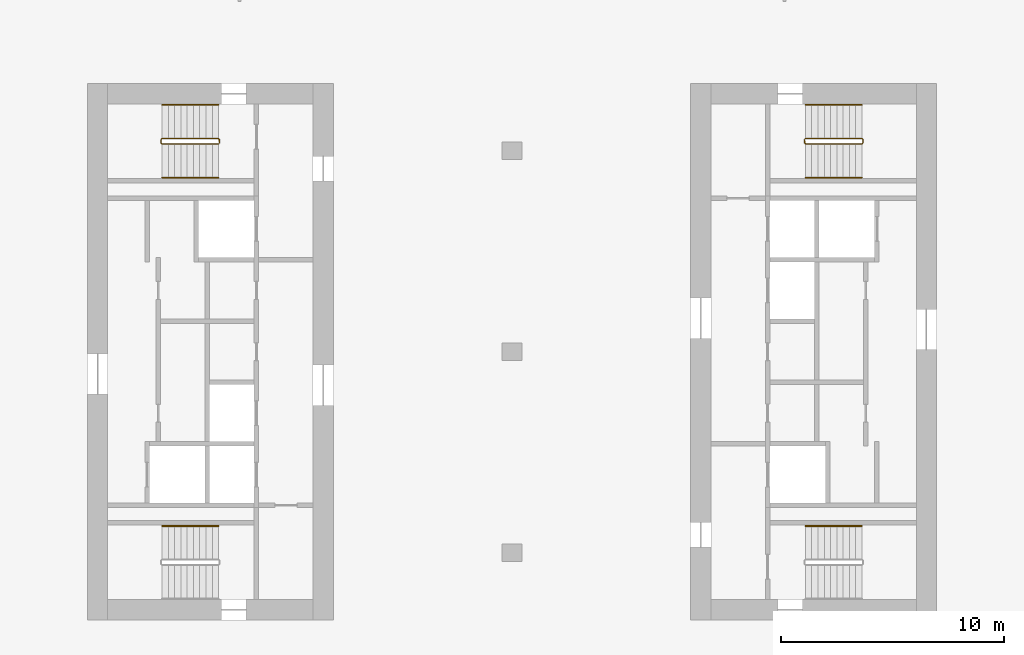
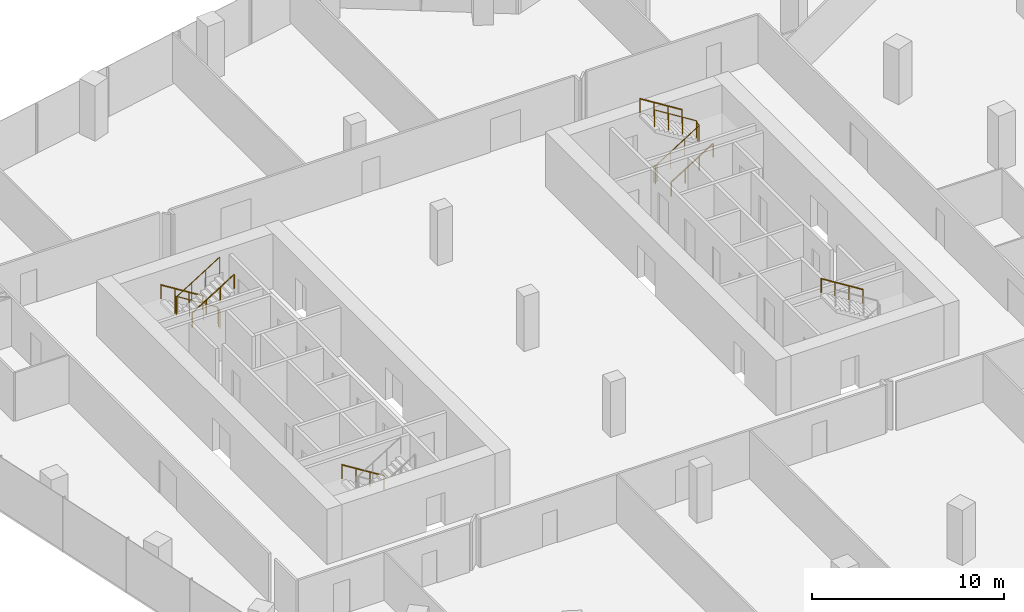
# One storey, part 24 of 24: 8 railings.
"""IFC4 building model written with IfcOpenShell, lengths in metres."""

from ifc_helpers import new_model, si_unit, direction, frame, origin, origin_2d, place, context, subcontext, project, spatial, circle, extrude, material, type_object, element, save


model = new_model("IFC4")

# Units and contexts
model_context = context("Model", 3, precision=1e-05, world=origin(), true_north=direction((0.0, 1.0)))
body_context = subcontext(model_context, "Body", "Model", "MODEL_VIEW")
ifc_project = project(units=[si_unit("LENGTHUNIT", "METRE"), si_unit("AREAUNIT", "SQUARE_METRE"), si_unit("VOLUMEUNIT", "CUBIC_METRE"), si_unit("PLANEANGLEUNIT", "RADIAN"), si_unit("MASSUNIT", "GRAM", prefix="KILO")], contexts=[model_context])

# Site, building, storey
site_placement = place(None, origin())
site = spatial("IfcSite", under=ifc_project, at=site_placement, CompositionType="ELEMENT")
building_placement = place(site_placement, origin())
building = spatial("IfcBuilding", under=site, at=building_placement, Name="Orlundy Tower", CompositionType="ELEMENT")
storey_placement = place(building_placement, frame((0.0, 0.0, 242.5)))
storey = spatial("IfcBuildingStorey", under=building, at=storey_placement, Name="L64", CompositionType="ELEMENT", Elevation=242.5)

# Railings
ifc_material_1 = material(Name="Steel balustrade", Category="steel")
railing_type_1 = type_object("IfcRailingType", Name="Stair Guard 1100", PredefinedType="GUARDRAIL", material=ifc_material_1)
railing_1_placement = place(storey_placement, frame((-13.090087890625, 9.5, 0.0)))
element("IfcRailing", 1, at=railing_1_placement, inside=storey, type_object=railing_type_1, Name="L64 ST-W1 stair guard 1", PredefinedType="GUARDRAIL", context=body_context, shape_type="SweptSolid", body=[
    extrude(circle(Radius=0.02392578125, at=origin_2d()), frame((0.0, 0.0, 1.076171875), z_axis=(0.0, -1.0, 0.0), x_axis=(1.0, 0.0, 0.0)), (0.0, 0.0, 1.0), 0.14990234375),
    extrude(circle(Radius=0.02392578125, at=origin_2d()), frame((0.0, -0.14990234375, 1.076171875), z_axis=(-0.18420542264, 0.739530593833, 0.647427882513), x_axis=(-0.970351222016, -0.241699205484, 0.0)), (0.0, 0.0, 1.0), 0.270263671875),
    extrude(circle(Radius=0.02392578125, at=origin_2d()), frame((-0.0498046875, 0.050048828125, 1.2509765625), z_axis=(-0.848007534815, 0.0, 0.529984170421), x_axis=(0.0, -1.0, 0.0)), (0.0, 0.0, 1.0), 2.9716796875),
    extrude(circle(Radius=0.02392578125, at=origin_2d()), frame((-2.56982421875, 0.050048828125, 2.826171875), z_axis=(-0.707106781187, -0.707106781187, 0.0), x_axis=(0.707106781187, -0.707106781187, 0.0)), (0.0, 0.0, 1.0), 0.07080078125),
    extrude(circle(Radius=0.02392578125, at=origin_2d()), frame((-2.619873046875, 0.0, 2.826171875), z_axis=(0.0, -1.0, 0.0), x_axis=(1.0, 0.0, 0.0)), (0.0, 0.0, 1.0), 0.14990234375),
    extrude(circle(Radius=0.02392578125, at=origin_2d()), frame((-2.619873046875, -0.14990234375, 2.826171875), z_axis=(0.265065253269, -0.265065253269, 0.927081885822), x_axis=(0.707106781187, 0.707106781187, 0.0)), (0.0, 0.0, 1.0), 0.188720703125),
    extrude(circle(Radius=0.02392578125, at=origin_2d()), frame((-2.56982421875, -0.199951171875, 3.0009765625), z_axis=(0.848007534815, 0.0, 0.529984170421), x_axis=(0.0, 1.0, 0.0)), (0.0, 0.0, 1.0), 2.9716796875),
    extrude(circle(Radius=0.02099609375, at=origin_2d()), origin(), (0.0, 0.0, 1.0), 1.052001953125),
    extrude(circle(Radius=0.02099609375, at=origin_2d()), frame((0.0, -0.14990234375, 0.0)), (0.0, 0.0, 1.0), 1.052001953125),
    extrude(circle(Radius=0.02099609375, at=origin_2d()), frame((-0.0498046875, 0.050048828125, 0.175048828125)), (0.0, 0.0, 1.0), 1.052001953125),
    extrude(circle(Radius=0.02099609375, at=origin_2d()), frame((-0.889892578125, 0.050048828125, 0.699951171875)), (0.0, 0.0, 1.0), 1.052001953125),
    extrude(circle(Radius=0.02099609375, at=origin_2d()), frame((-1.729736328125, 0.050048828125, 1.22509765625)), (0.0, 0.0, 1.0), 1.052001953125),
    extrude(circle(Radius=0.02099609375, at=origin_2d()), frame((-2.56982421875, 0.050048828125, 1.75)), (0.0, 0.0, 1.0), 1.052001953125),
    extrude(circle(Radius=0.02099609375, at=origin_2d()), frame((-2.619873046875, 0.0, 1.75)), (0.0, 0.0, 1.0), 1.052001953125),
    extrude(circle(Radius=0.02099609375, at=origin_2d()), frame((-2.619873046875, -0.14990234375, 1.75)), (0.0, 0.0, 1.0), 1.052001953125),
    extrude(circle(Radius=0.02099609375, at=origin_2d()), frame((-2.56982421875, -0.199951171875, 1.925048828125)), (0.0, 0.0, 1.0), 1.052001953125),
    extrude(circle(Radius=0.02099609375, at=origin_2d()), frame((-1.729736328125, -0.199951171875, 2.449951171875)), (0.0, 0.0, 1.0), 1.052001953125),
    extrude(circle(Radius=0.02099609375, at=origin_2d()), frame((-0.889892578125, -0.199951171875, 2.97509765625)), (0.0, 0.0, 1.0), 1.052001953125),
    extrude(circle(Radius=0.02099609375, at=origin_2d()), frame((-0.0498046875, -0.199951171875, 3.5)), (0.0, 0.0, 1.0), 1.052001953125),
])
railing_2_placement = place(storey_placement, frame((13.090087890625, 9.35009765625, 0.0)))
element("IfcRailing", 2, at=railing_2_placement, inside=storey, type_object=railing_type_1, Name="L64 ST-E2 stair guard 1", PredefinedType="GUARDRAIL", context=body_context, shape_type="SweptSolid", body=[
    extrude(circle(Radius=0.02392578125, at=origin_2d()), frame((0.0, 0.0, 1.076171875), z_axis=(0.0, 1.0, 0.0), x_axis=(-1.0, 0.0, 0.0)), (0.0, 0.0, 1.0), 0.14990234375),
    extrude(circle(Radius=0.02392578125, at=origin_2d()), frame((0.0, 0.14990234375, 1.076171875), z_axis=(0.18420542264, -0.739530593833, 0.647427882513), x_axis=(0.970351222016, 0.241699205484, 0.0)), (0.0, 0.0, 1.0), 0.270263671875),
    extrude(circle(Radius=0.02392578125, at=origin_2d()), frame((0.0498046875, -0.050048828125, 1.2509765625), z_axis=(0.848007534815, 0.0, 0.529984170421), x_axis=(0.0, 1.0, 0.0)), (0.0, 0.0, 1.0), 2.9716796875),
    extrude(circle(Radius=0.02392578125, at=origin_2d()), frame((2.56982421875, -0.050048828125, 2.826171875), z_axis=(0.707106781187, 0.707106781187, 0.0), x_axis=(-0.707106781187, 0.707106781187, 0.0)), (0.0, 0.0, 1.0), 0.07080078125),
    extrude(circle(Radius=0.02392578125, at=origin_2d()), frame((2.619873046875, 0.0, 2.826171875), z_axis=(0.0, 1.0, 0.0), x_axis=(-1.0, 0.0, 0.0)), (0.0, 0.0, 1.0), 0.14990234375),
    extrude(circle(Radius=0.02392578125, at=origin_2d()), frame((2.619873046875, 0.14990234375, 2.826171875), z_axis=(-0.265065253269, 0.265065253269, 0.927081885822), x_axis=(-0.707106781187, -0.707106781187, 0.0)), (0.0, 0.0, 1.0), 0.188720703125),
    extrude(circle(Radius=0.02392578125, at=origin_2d()), frame((2.56982421875, 0.199951171875, 3.0009765625), z_axis=(-0.848007534815, 0.0, 0.529984170421), x_axis=(0.0, -1.0, 0.0)), (0.0, 0.0, 1.0), 2.9716796875),
    extrude(circle(Radius=0.02099609375, at=origin_2d()), origin(), (0.0, 0.0, 1.0), 1.052001953125),
    extrude(circle(Radius=0.02099609375, at=origin_2d()), frame((0.0, 0.14990234375, 0.0)), (0.0, 0.0, 1.0), 1.052001953125),
    extrude(circle(Radius=0.02099609375, at=origin_2d()), frame((0.0498046875, -0.050048828125, 0.175048828125)), (0.0, 0.0, 1.0), 1.052001953125),
    extrude(circle(Radius=0.02099609375, at=origin_2d()), frame((0.889892578125, -0.050048828125, 0.699951171875)), (0.0, 0.0, 1.0), 1.052001953125),
    extrude(circle(Radius=0.02099609375, at=origin_2d()), frame((1.729736328125, -0.050048828125, 1.22509765625)), (0.0, 0.0, 1.0), 1.052001953125),
    extrude(circle(Radius=0.02099609375, at=origin_2d()), frame((2.56982421875, -0.050048828125, 1.75)), (0.0, 0.0, 1.0), 1.052001953125),
    extrude(circle(Radius=0.02099609375, at=origin_2d()), frame((2.619873046875, 0.0, 1.75)), (0.0, 0.0, 1.0), 1.052001953125),
    extrude(circle(Radius=0.02099609375, at=origin_2d()), frame((2.619873046875, 0.14990234375, 1.75)), (0.0, 0.0, 1.0), 1.052001953125),
    extrude(circle(Radius=0.02099609375, at=origin_2d()), frame((2.56982421875, 0.199951171875, 1.925048828125)), (0.0, 0.0, 1.0), 1.052001953125),
    extrude(circle(Radius=0.02099609375, at=origin_2d()), frame((1.729736328125, 0.199951171875, 2.449951171875)), (0.0, 0.0, 1.0), 1.052001953125),
    extrude(circle(Radius=0.02099609375, at=origin_2d()), frame((0.889892578125, 0.199951171875, 2.97509765625)), (0.0, 0.0, 1.0), 1.052001953125),
    extrude(circle(Radius=0.02099609375, at=origin_2d()), frame((0.0498046875, 0.199951171875, 3.5)), (0.0, 0.0, 1.0), 1.052001953125),
])
ifc_material_2 = material(Name="Steel handrail", Category="steel")
railing_type_2 = type_object("IfcRailingType", Name="Stair Handrail 900", PredefinedType="HANDRAIL", material=ifc_material_2)
railing_3_placement = place(storey_placement, frame((-13.139892578125, 11.050048828125, 0.175048828125)))
element("IfcRailing", 3, at=railing_3_placement, inside=storey, type_object=railing_type_2, Name="L64 ST-W1 stair handrail 1", PredefinedType="HANDRAIL", context=body_context, shape_type="SweptSolid", body=[
    extrude(circle(Radius=0.02392578125, at=origin_2d()), frame((0.0, 0.0, 0.8759765625), z_axis=(-0.848007534815, 0.0, 0.529984170421), x_axis=(0.0, -1.0, 0.0)), (0.0, 0.0, 1.0), 2.9716796875),
    extrude(circle(Radius=0.02099609375, at=origin_2d()), origin(), (0.0, 0.0, 1.0), 0.851806640625),
    extrude(circle(Radius=0.02099609375, at=origin_2d()), frame((-0.840087890625, 0.0, 0.52490234375)), (0.0, 0.0, 1.0), 0.851806640625),
    extrude(circle(Radius=0.02099609375, at=origin_2d()), frame((-1.679931640625, 0.0, 1.050048828125)), (0.0, 0.0, 1.0), 0.851806640625),
    extrude(circle(Radius=0.02099609375, at=origin_2d()), frame((-2.52001953125, 0.0, 1.574951171875)), (0.0, 0.0, 1.0), 0.851806640625),
])
railing_4_placement = place(storey_placement, frame((-15.659912109375, 7.800048828125, 1.925048828125)))
element("IfcRailing", 4, at=railing_4_placement, inside=storey, type_object=railing_type_2, Name="L64 ST-W1 stair handrail 2", PredefinedType="HANDRAIL", context=body_context, shape_type="SweptSolid", body=[
    extrude(circle(Radius=0.02392578125, at=origin_2d()), frame((0.0, 0.0, 0.8759765625), z_axis=(0.848007534815, 0.0, 0.529984170421), x_axis=(0.0, 1.0, 0.0)), (0.0, 0.0, 1.0), 2.9716796875),
    extrude(circle(Radius=0.02099609375, at=origin_2d()), origin(), (0.0, 0.0, 1.0), 0.851806640625),
    extrude(circle(Radius=0.02099609375, at=origin_2d()), frame((0.840087890625, 0.0, 0.52490234375)), (0.0, 0.0, 1.0), 0.851806640625),
    extrude(circle(Radius=0.02099609375, at=origin_2d()), frame((1.679931640625, 0.0, 1.050048828125)), (0.0, 0.0, 1.0), 0.851806640625),
    extrude(circle(Radius=0.02099609375, at=origin_2d()), frame((2.52001953125, 0.0, 1.574951171875)), (0.0, 0.0, 1.0), 0.851806640625),
])
for number, where, name in (
    (5, (-13.139892578125, -7.800048828125, 0.175048828125), "L64 ST-W2 stair handrail 1"),
    (6, (15.659912109375, -7.800048828125, 1.925048828125), "L64 ST-E1 stair handrail 2"),
):
    element("IfcRailing", number, at=place(storey_placement, frame(where)), inside=storey, type_object=railing_type_2, Name=name, PredefinedType="HANDRAIL", context=body_context, shape_type="SweptSolid", body=[
        extrude(circle(Radius=0.02392578125, at=origin_2d()), frame((0.0, 0.0, 0.8759765625), z_axis=(-0.848007534815, 0.0, 0.529984170421), x_axis=(0.0, -1.0, 0.0)), (0.0, 0.0, 1.0), 2.9716796875),
        extrude(circle(Radius=0.02099609375, at=origin_2d()), origin(), (0.0, 0.0, 1.0), 0.851806640625),
        extrude(circle(Radius=0.02099609375, at=origin_2d()), frame((-0.840087890625, 0.0, 0.52490234375)), (0.0, 0.0, 1.0), 0.851806640625),
        extrude(circle(Radius=0.02099609375, at=origin_2d()), frame((-1.679931640625, 0.0, 1.050048828125)), (0.0, 0.0, 1.0), 0.851806640625),
        extrude(circle(Radius=0.02099609375, at=origin_2d()), frame((-2.52001953125, 0.0, 1.574951171875)), (0.0, 0.0, 1.0), 0.851806640625),
    ])
railing_5_placement = place(storey_placement, frame((13.139892578125, 7.800048828125, 0.175048828125)))
element("IfcRailing", 7, at=railing_5_placement, inside=storey, type_object=railing_type_2, Name="L64 ST-E2 stair handrail 1", PredefinedType="HANDRAIL", context=body_context, shape_type="SweptSolid", body=[
    extrude(circle(Radius=0.02392578125, at=origin_2d()), frame((0.0, 0.0, 0.8759765625), z_axis=(0.848007534815, 0.0, 0.529984170421), x_axis=(0.0, 1.0, 0.0)), (0.0, 0.0, 1.0), 2.9716796875),
    extrude(circle(Radius=0.02099609375, at=origin_2d()), origin(), (0.0, 0.0, 1.0), 0.851806640625),
    extrude(circle(Radius=0.02099609375, at=origin_2d()), frame((0.840087890625, 0.0, 0.52490234375)), (0.0, 0.0, 1.0), 0.851806640625),
    extrude(circle(Radius=0.02099609375, at=origin_2d()), frame((1.679931640625, 0.0, 1.050048828125)), (0.0, 0.0, 1.0), 0.851806640625),
    extrude(circle(Radius=0.02099609375, at=origin_2d()), frame((2.52001953125, 0.0, 1.574951171875)), (0.0, 0.0, 1.0), 0.851806640625),
])
railing_6_placement = place(storey_placement, frame((15.659912109375, 11.050048828125, 1.925048828125)))
element("IfcRailing", 8, at=railing_6_placement, inside=storey, type_object=railing_type_2, Name="L64 ST-E2 stair handrail 2", PredefinedType="HANDRAIL", context=body_context, shape_type="SweptSolid", body=[
    extrude(circle(Radius=0.02392578125, at=origin_2d()), frame((0.0, 0.0, 0.8759765625), z_axis=(-0.848007534815, 0.0, 0.529984170421), x_axis=(0.0, -1.0, 0.0)), (0.0, 0.0, 1.0), 2.9716796875),
    extrude(circle(Radius=0.02099609375, at=origin_2d()), origin(), (0.0, 0.0, 1.0), 0.851806640625),
    extrude(circle(Radius=0.02099609375, at=origin_2d()), frame((-0.840087890625, 0.0, 0.52490234375)), (0.0, 0.0, 1.0), 0.851806640625),
    extrude(circle(Radius=0.02099609375, at=origin_2d()), frame((-1.679931640625, 0.0, 1.050048828125)), (0.0, 0.0, 1.0), 0.851806640625),
    extrude(circle(Radius=0.02099609375, at=origin_2d()), frame((-2.52001953125, 0.0, 1.574951171875)), (0.0, 0.0, 1.0), 0.851806640625),
])

save(model, "model.ifc")
